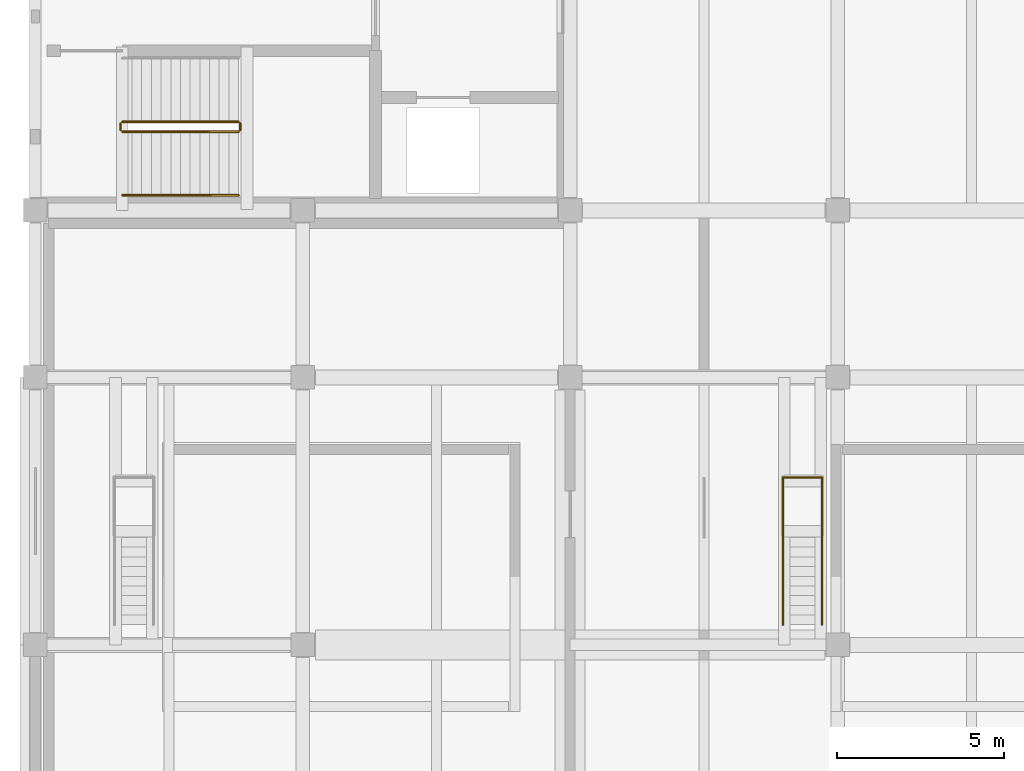
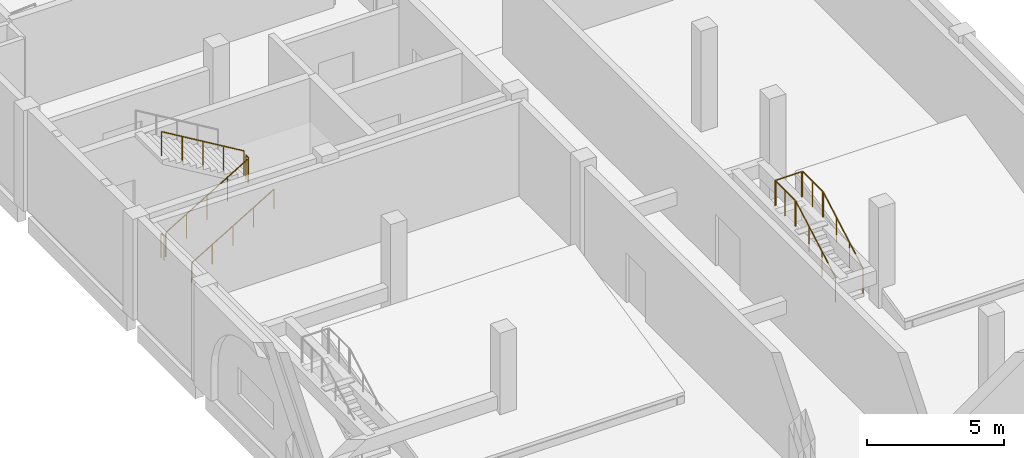
# One storey, part 39 of 45: 10 railings.
"""IFC4 building model written with IfcOpenShell, lengths in metres."""

from ifc_helpers import new_model, si_unit, direction, frame, origin, origin_2d, place, context, subcontext, project, spatial, circle, extrude, material, type_object, element, save


model = new_model("IFC4")

# Units and contexts
model_context = context("Model", 3, precision=1e-05, world=origin(), true_north=direction((0.0, 1.0)))
body_context = subcontext(model_context, "Body", "Model", "MODEL_VIEW")
ifc_project = project(units=[si_unit("LENGTHUNIT", "METRE"), si_unit("AREAUNIT", "SQUARE_METRE"), si_unit("VOLUMEUNIT", "CUBIC_METRE"), si_unit("PLANEANGLEUNIT", "RADIAN"), si_unit("MASSUNIT", "GRAM", prefix="KILO")], contexts=[model_context])

# Site, building, storey
site_placement = place(None, origin())
site = spatial("IfcSite", under=ifc_project, at=site_placement, CompositionType="ELEMENT")
building_placement = place(site_placement, origin())
building = spatial("IfcBuilding", under=site, at=building_placement, Name="Qorikala Patio Media Centre", CompositionType="ELEMENT")
storey_placement = place(building_placement, frame((0.0, 0.0, 9.89990234375)))
storey = spatial("IfcBuildingStorey", under=building, at=storey_placement, Name="L02", CompositionType="ELEMENT", Elevation=9.89990234375)

# Railings
ifc_material_1 = material(Name="Wrought Bronze and Steel S355", Category="steel")
railing_type_1 = type_object("IfcRailingType", Name="RL-GUARD-110", PredefinedType="GUARDRAIL", material=ifc_material_1)
railing_1_placement = place(storey_placement, frame((5.60009765625, 66.35009765625, 0.173095703125)))
element("IfcRailing", 1, at=railing_1_placement, inside=storey, type_object=railing_type_1, Name="L02 ST-3 stair guard 1", PredefinedType="GUARDRAIL", context=body_context, shape_type="SweptSolid", body=[
    extrude(circle(Radius=0.02392578125, at=origin_2d()), frame((0.0, 0.0, 1.076171875), z_axis=(0.858697190188, 0.0, 0.512483302717), x_axis=(0.0, 1.0, 0.0)), (0.0, 0.0, 1.0), 4.052734375),
    extrude(circle(Radius=0.02099609375, at=origin_2d()), origin(), (0.0, 0.0, 1.0), 1.052001953125),
    extrude(circle(Radius=0.02099609375, at=origin_2d()), frame((0.8701171875, 0.0, 0.519287109375)), (0.0, 0.0, 1.0), 1.052001953125),
    extrude(circle(Radius=0.02099609375, at=origin_2d()), frame((1.739990234375, 0.0, 1.03857421875)), (0.0, 0.0, 1.0), 1.052001953125),
    extrude(circle(Radius=0.02099609375, at=origin_2d()), frame((2.60986328125, 0.0, 1.5576171875)), (0.0, 0.0, 1.0), 1.052001953125),
    extrude(circle(Radius=0.02099609375, at=origin_2d()), frame((3.47998046875, 0.0, 2.076904296875)), (0.0, 0.0, 1.0), 1.052001953125),
])
railing_2_placement = place(storey_placement, frame((9.1298828125, 66.39990234375, 2.25)))
element("IfcRailing", 2, at=railing_2_placement, inside=storey, type_object=railing_type_1, Name="L02 ST-3 stair guard 2", PredefinedType="GUARDRAIL", context=body_context, shape_type="SweptSolid", body=[
    extrude(circle(Radius=0.02392578125, at=origin_2d()), frame((0.0, 0.0, 1.076171875), z_axis=(0.0, 1.0, 0.0), x_axis=(-1.0, 0.0, 0.0)), (0.0, 0.0, 1.0), 0.2001953125),
    extrude(circle(Radius=0.02099609375, at=origin_2d()), origin(), (0.0, 0.0, 1.0), 1.052001953125),
    extrude(circle(Radius=0.02099609375, at=origin_2d()), frame((0.0, 0.2001953125, 0.0)), (0.0, 0.0, 1.0), 1.052001953125),
])
railing_3_placement = place(storey_placement, frame((9.080078125, 66.64990234375, 2.423095703125)))
element("IfcRailing", 3, at=railing_3_placement, inside=storey, type_object=railing_type_1, Name="L02 ST-3 stair guard 3", PredefinedType="GUARDRAIL", context=body_context, shape_type="SweptSolid", body=[
    extrude(circle(Radius=0.02392578125, at=origin_2d()), frame((0.0, 0.0, 1.076171875), z_axis=(-0.858697190188, 0.0, 0.512483302717), x_axis=(0.0, -1.0, 0.0)), (0.0, 0.0, 1.0), 4.052734375),
    extrude(circle(Radius=0.02099609375, at=origin_2d()), origin(), (0.0, 0.0, 1.0), 1.052001953125),
    extrude(circle(Radius=0.02099609375, at=origin_2d()), frame((-0.8701171875, 0.0, 0.519287109375)), (0.0, 0.0, 1.0), 1.052001953125),
    extrude(circle(Radius=0.02099609375, at=origin_2d()), frame((-1.739990234375, 0.0, 1.03857421875)), (0.0, 0.0, 1.0), 1.052001953125),
    extrude(circle(Radius=0.02099609375, at=origin_2d()), frame((-2.60986328125, 0.0, 1.5576171875)), (0.0, 0.0, 1.0), 1.052001953125),
    extrude(circle(Radius=0.02099609375, at=origin_2d()), frame((-3.47998046875, 0.0, 2.076904296875)), (0.0, 0.0, 1.0), 1.052001953125),
])
railing_4_placement = place(storey_placement, frame((5.550048828125, 66.39990234375, 0.0)))
element("IfcRailing", 4, at=railing_4_placement, inside=storey, type_object=railing_type_1, Name="L02 ST-3 stair guard 4", PredefinedType="GUARDRAIL", context=body_context, shape_type="SweptSolid", body=[
    extrude(circle(Radius=0.02392578125, at=origin_2d()), frame((0.0, 0.0, 1.076171875), z_axis=(0.0, 1.0, 0.0), x_axis=(-1.0, 0.0, 0.0)), (0.0, 0.0, 1.0), 0.2001953125),
    extrude(circle(Radius=0.02099609375, at=origin_2d()), origin(), (0.0, 0.0, 1.0), 1.052001953125),
    extrude(circle(Radius=0.02099609375, at=origin_2d()), frame((0.0, 0.2001953125, 0.0)), (0.0, 0.0, 1.0), 1.052001953125),
])
ifc_material_2 = material(Name="Brushed Bronze Tubular Steel S355", Category="steel")
railing_type_2 = type_object("IfcRailingType", Name="RL-HAND-090", PredefinedType="HANDRAIL", material=ifc_material_2)
railing_5_placement = place(storey_placement, frame((5.60009765625, 64.449951171875, 0.173095703125)))
element("IfcRailing", 5, at=railing_5_placement, inside=storey, type_object=railing_type_2, Name="L02 ST-3 stair handrail 1", PredefinedType="HANDRAIL", context=body_context, shape_type="SweptSolid", body=[
    extrude(circle(Radius=0.02392578125, at=origin_2d()), frame((0.0, 0.0, 0.8759765625), z_axis=(0.858697190188, 0.0, 0.512483302717), x_axis=(0.0, 1.0, 0.0)), (0.0, 0.0, 1.0), 4.052734375),
    extrude(circle(Radius=0.02099609375, at=origin_2d()), origin(), (0.0, 0.0, 1.0), 0.851806640625),
    extrude(circle(Radius=0.02099609375, at=origin_2d()), frame((0.8701171875, 0.0, 0.519287109375)), (0.0, 0.0, 1.0), 0.851806640625),
    extrude(circle(Radius=0.02099609375, at=origin_2d()), frame((1.739990234375, 0.0, 1.03857421875)), (0.0, 0.0, 1.0), 0.851806640625),
    extrude(circle(Radius=0.02099609375, at=origin_2d()), frame((2.60986328125, 0.0, 1.5576171875)), (0.0, 0.0, 1.0), 0.851806640625),
    extrude(circle(Radius=0.02099609375, at=origin_2d()), frame((3.47998046875, 0.0, 2.076904296875)), (0.0, 0.0, 1.0), 0.851806640625),
])
ifc_material_3 = material(Name="Wrought Bronze Baluster Guardrail")
railing_type_3 = type_object("IfcRailingType", Name="RL-TERR-115", PredefinedType="GUARDRAIL", material=ifc_material_3)
for number, where, name in (
    (6, (25.3701171875, 51.60009765625, 0.163818359375), "Vomitory Stair VS-04 Flight Guard L"),
    (7, (26.530029296875, 51.60009765625, 0.163818359375), "Vomitory Stair VS-04 Flight Guard R"),
):
    element("IfcRailing", number, at=place(storey_placement, frame(where)), inside=storey, type_object=railing_type_3, Name=name, PredefinedType="GUARDRAIL", context=body_context, shape_type="SweptSolid", body=[
        extrude(circle(Radius=0.02392578125, at=origin_2d()), frame((0.0, 0.0, 1.1259765625), z_axis=(0.0, 0.870928581787, 0.491409610636), x_axis=(-1.0, 0.0, 0.0)), (0.0, 0.0, 1.0), 3.32958984375),
        extrude(circle(Radius=0.02099609375, at=origin_2d()), origin(), (0.0, 0.0, 1.0), 1.101806640625),
        extrude(circle(Radius=0.02099609375, at=origin_2d()), frame((0.0, 0.966552734375, 0.54541015625)), (0.0, 0.0, 1.0), 1.101806640625),
        extrude(circle(Radius=0.02099609375, at=origin_2d()), frame((0.0, 1.933349609375, 1.0908203125)), (0.0, 0.0, 1.0), 1.101806640625),
        extrude(circle(Radius=0.02099609375, at=origin_2d()), frame((0.0, 2.89990234375, 1.63623046875)), (0.0, 0.0, 1.0), 1.101806640625),
    ])
railing_6_placement = place(storey_placement, frame((25.3701171875, 54.5400390625, 1.800048828125)))
element("IfcRailing", 8, at=railing_6_placement, inside=storey, type_object=railing_type_3, Name="Vomitory VS-04 Landing Guard W", PredefinedType="GUARDRAIL", context=body_context, shape_type="SweptSolid", body=[
    extrude(circle(Radius=0.02392578125, at=origin_2d()), frame((0.0, 0.0, 1.1259765625), z_axis=(0.0, 1.0, 0.0), x_axis=(-1.0, 0.0, 0.0)), (0.0, 0.0, 1.0), 1.469970703125),
    extrude(circle(Radius=0.02099609375, at=origin_2d()), origin(), (0.0, 0.0, 1.0), 1.101806640625),
    extrude(circle(Radius=0.02099609375, at=origin_2d()), frame((0.0, 0.73486328125, 0.0)), (0.0, 0.0, 1.0), 1.101806640625),
    extrude(circle(Radius=0.02099609375, at=origin_2d()), frame((0.0, 1.469970703125, 0.0)), (0.0, 0.0, 1.0), 1.101806640625),
])
railing_7_placement = place(storey_placement, frame((25.409912109375, 56.010009765625, 1.800048828125)))
element("IfcRailing", 9, at=railing_7_placement, inside=storey, type_object=railing_type_3, Name="Vomitory VS-04 Landing Guard N", PredefinedType="GUARDRAIL", context=body_context, shape_type="SweptSolid", body=[
    extrude(circle(Radius=0.02392578125, at=origin_2d()), frame((0.0, 0.0, 1.1259765625), z_axis=(1.0, 0.0, 0.0), x_axis=(0.0, 1.0, 0.0)), (0.0, 0.0, 1.0), 1.080078125),
    extrude(circle(Radius=0.02099609375, at=origin_2d()), origin(), (0.0, 0.0, 1.0), 1.101806640625),
    extrude(circle(Radius=0.02099609375, at=origin_2d()), frame((1.080078125, 0.0, 0.0)), (0.0, 0.0, 1.0), 1.101806640625),
])
railing_8_placement = place(storey_placement, frame((26.530029296875, 56.010009765625, 1.800048828125)))
element("IfcRailing", 10, at=railing_8_placement, inside=storey, type_object=railing_type_3, Name="Vomitory VS-04 Landing Guard E", PredefinedType="GUARDRAIL", context=body_context, shape_type="SweptSolid", body=[
    extrude(circle(Radius=0.02392578125, at=origin_2d()), frame((0.0, 0.0, 1.1259765625), z_axis=(0.0, -1.0, 0.0), x_axis=(1.0, 0.0, 0.0)), (0.0, 0.0, 1.0), 1.469970703125),
    extrude(circle(Radius=0.02099609375, at=origin_2d()), origin(), (0.0, 0.0, 1.0), 1.101806640625),
    extrude(circle(Radius=0.02099609375, at=origin_2d()), frame((0.0, -0.73486328125, 0.0)), (0.0, 0.0, 1.0), 1.101806640625),
    extrude(circle(Radius=0.02099609375, at=origin_2d()), frame((0.0, -1.469970703125, 0.0)), (0.0, 0.0, 1.0), 1.101806640625),
])

save(model, "model.ifc")
